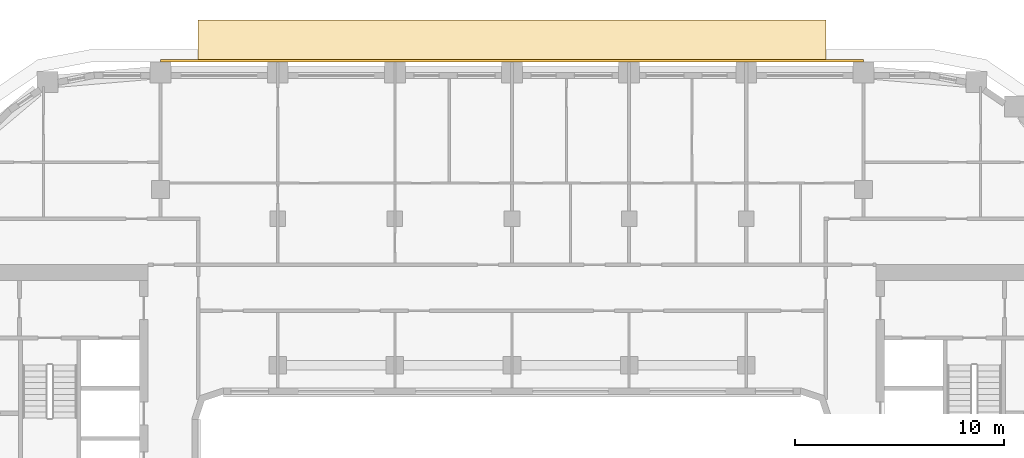
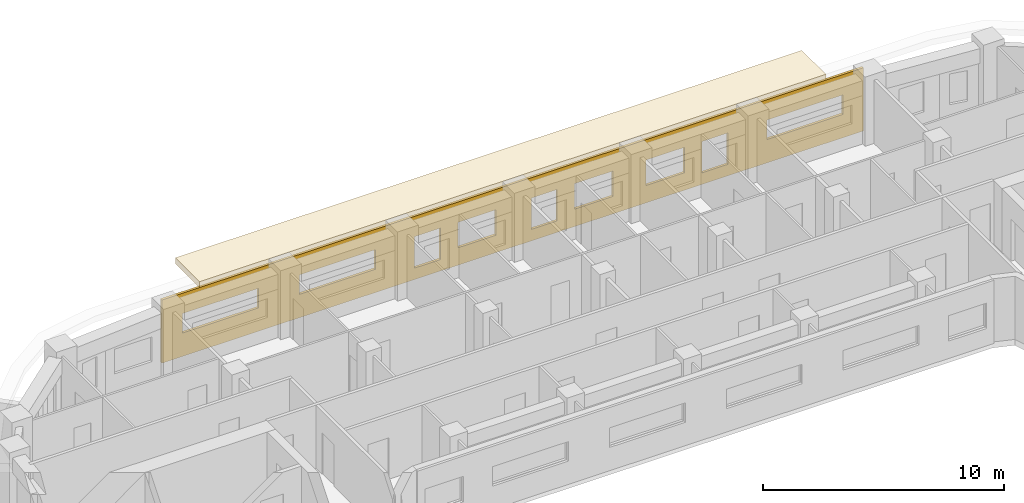
# One storey, part 21 of 22: 2 coverings.
"""IFC4 building model written with IfcOpenShell, lengths in metres."""

import ifcopenshell
import ifcopenshell.guid

model = None  # the IFC model being written
_history = None  # IfcOwnerHistory: only IFC2X3 demands one
_inside = {}  # id of a spatial element -> (the spatial element, [elements in it])
_under = {}  # id of a project, library or spatial element -> (it, [spatial elements below it])
_declared = {}  # id of a project -> (the project, [libraries it declares])
_typed = {}  # id of a type object -> (the type object, [elements of that type])
_made_of = {}  # id of a material, layer set ... -> (it, [elements and type objects made of it])


def new_model(schema):
    """Start an empty IFC model of exactly this schema.

    Asked for "IFC4X3", IfcOpenShell would pick the latest addendum, in which some entities
    have other attributes; the version numbers below select the first issue.
    IFC2X3 requires an IfcOwnerHistory on every rooted entity: one is made here for all.
    """
    global model, _history
    if schema == "IFC4X3":
        model = ifcopenshell.file(schema_version=(4, 3, 0, 0))
    else:
        model = ifcopenshell.file(schema=schema)
    _inside.clear()
    _under.clear()
    _declared.clear()
    _typed.clear()
    _made_of.clear()
    _history = None
    if model.schema == "IFC2X3":
        org = make("IfcOrganization", Name="unknown")
        user = make(
            "IfcPersonAndOrganization",
            ThePerson=make("IfcPerson", FamilyName="unknown"),
            TheOrganization=org,
        )
        app = make(
            "IfcApplication",
            ApplicationDeveloper=org,
            Version="unknown",
            ApplicationFullName="unknown",
            ApplicationIdentifier="unknown",
        )
        _history = make(
            "IfcOwnerHistory",
            OwningUser=user,
            OwningApplication=app,
            ChangeAction="ADDED",
            CreationDate=0,
        )
    return model


def make(cls, **values):
    """One entity of the class cls with the attributes given. An attribute that is None is left unset."""
    return model.create_entity(
        cls, **{name: value for name, value in values.items() if value is not None}
    )


def rooted(cls, **values):
    """An entity with a GlobalId (a new one), such as an element, a storey or a relation."""
    return make(cls, GlobalId=ifcopenshell.guid.new(), OwnerHistory=_history, **values)


def si_unit(unit_type, name, prefix=None):
    """IfcSIUnit, for example si_unit("LENGTHUNIT", "METRE", prefix="MILLI")."""
    return make("IfcSIUnit", UnitType=unit_type, Prefix=prefix, Name=name)


def assignment(units):
    """IfcUnitAssignment: the units of a project."""
    return None if units is None else make("IfcUnitAssignment", Units=units)


def point(xyz):
    """IfcCartesianPoint."""
    return None if xyz is None else make("IfcCartesianPoint", Coordinates=xyz)


def direction(xyz):
    """IfcDirection."""
    return None if xyz is None else make("IfcDirection", DirectionRatios=xyz)


def frame(location, z_axis=None, x_axis=None):
    """IfcAxis2Placement3D, a coordinate frame: its origin and axes. An axis left out is left unset."""
    return make(
        "IfcAxis2Placement3D",
        Location=point(location),
        Axis=direction(z_axis),
        RefDirection=direction(x_axis),
    )


def origin():
    """The frame at (0, 0, 0) with its axes left unset."""
    return frame((0.0, 0.0, 0.0))


def place(relative_to, where):
    """IfcLocalPlacement: puts the frame where relative to a parent placement (None: the world)."""
    return make(
        "IfcLocalPlacement", PlacementRelTo=relative_to, RelativePlacement=where
    )


def context(
    kind, dimensions, precision=None, world=None, true_north=None, identifier=None
):
    """IfcGeometricRepresentationContext, for example the 3D "Model" context."""
    return make(
        "IfcGeometricRepresentationContext",
        ContextIdentifier=identifier,
        ContextType=kind,
        CoordinateSpaceDimension=dimensions,
        Precision=precision,
        WorldCoordinateSystem=world,
        TrueNorth=true_north,
    )


def subcontext(parent, identifier, kind, view, scale=None):
    """IfcGeometricRepresentationSubContext, for example "Body" below "Model"."""
    return make(
        "IfcGeometricRepresentationSubContext",
        ContextIdentifier=identifier,
        ContextType=kind,
        ParentContext=parent,
        TargetScale=scale,
        TargetView=view,
    )


def project(units=None, contexts=None):
    """IfcProject with its units and contexts."""
    return rooted(
        "IfcProject",
        Name="project",
        RepresentationContexts=contexts,
        UnitsInContext=assignment(units),
    )


def spatial(cls, under=None, at=None, **own):
    """A site, building, storey or space (cls), placed at a placement, below another one or the project."""
    s = rooted(cls, ObjectPlacement=at, **own)
    if under is not None:
        _under.setdefault(under.id(), (under, []))[1].append(s)
    return s


def polyline(points):
    """IfcPolyline through the points."""
    return make("IfcPolyline", Points=[point(p) for p in points])


def outline(outer, holes=None, kind="AREA"):
    """IfcArbitraryClosedProfileDef: a profile drawn as a closed curve; with holes, ...WithVoids."""
    if holes is None:
        return make("IfcArbitraryClosedProfileDef", ProfileType=kind, OuterCurve=outer)
    return make(
        "IfcArbitraryProfileDefWithVoids",
        ProfileType=kind,
        OuterCurve=outer,
        InnerCurves=holes,
    )


def extrude(swept, where, along, depth):
    """IfcExtrudedAreaSolid: the profile swept, set in the frame where, extruded along a direction by depth."""
    return make(
        "IfcExtrudedAreaSolid",
        SweptArea=swept,
        Position=where,
        ExtrudedDirection=direction(along),
        Depth=depth,
    )


def shape(context_of_items, identifier, shape_type, items):
    """IfcShapeRepresentation: the items that make up one representation, for example the "Body"."""
    return make(
        "IfcShapeRepresentation",
        ContextOfItems=context_of_items,
        RepresentationIdentifier=identifier,
        RepresentationType=shape_type,
        Items=items,
    )


def material(Name=None, Category=None):
    """IfcMaterial."""
    return make("IfcMaterial", Name=Name, Category=Category)


def layer(
    of_material, thickness, ventilated=None, Name=None, Category=None, Priority=None
):
    """IfcMaterialLayer: one layer of a wall or slab, of a material (None: an air gap)."""
    return make(
        "IfcMaterialLayer",
        Material=of_material,
        LayerThickness=thickness,
        IsVentilated=ventilated,
        Name=Name,
        Category=Category,
        Priority=Priority,
    )


def layer_set(layers, Name=None):
    """IfcMaterialLayerSet."""
    return make("IfcMaterialLayerSet", MaterialLayers=layers, LayerSetName=Name)


def made_of(thing, what):
    """Note that an element or type object is made of a material, layer set ...; save() writes the relation."""
    if what is not None:
        _made_of.setdefault(what.id(), (what, []))[1].append(thing)
    return thing


def type_object(cls, material=None, **own):
    """A type object (cls), such as IfcWallType, which elements share."""
    return made_of(rooted(cls, **own), material)


def element(
    cls,
    number,
    at=None,
    inside=None,
    cuts=None,
    type_object=None,
    material=None,
    context=None,
    identifier="Body",
    shape_type=None,
    held_by="IfcProductDefinitionShape",
    body=None,
    shapes=None,
    **own,
):
    """One element of the class cls, such as IfcWall. Its Tag is "e" and its number.

    at: its placement. inside: the storey or other place that contains it. cuts: it is an
    opening in that element (IfcRelVoidsElement). A single representation is given by context,
    identifier, shape_type and body (its items); several are given by shapes. held_by: the class
    of the entity that holds the representations. save() writes the other relations.
    """
    e = rooted(cls, Tag="e%d" % number, ObjectPlacement=at, **own)
    if body is not None:
        shapes = [shape(context, identifier, shape_type, body)]
    if shapes is not None:
        e.Representation = make(held_by, Representations=shapes)
    if inside is not None:
        _inside.setdefault(inside.id(), (inside, []))[1].append(e)
    if cuts is not None:
        rooted(
            "IfcRelVoidsElement", RelatingBuildingElement=cuts, RelatedOpeningElement=e
        )
    if type_object is not None:
        _typed.setdefault(type_object.id(), (type_object, []))[1].append(e)
    return made_of(e, material)


def aggregate(whole, parts):
    """IfcRelAggregates: a whole, such as a stair, and the parts it consists of."""
    return rooted("IfcRelAggregates", RelatingObject=whole, RelatedObjects=parts)


def save(model, path):
    """Write the relations noted so far, then the file.

    IfcRelAggregates (storeys below a building ...), IfcRelContainedInSpatialStructure (elements
    in a storey), IfcRelDefinesByType, IfcRelAssociatesMaterial and IfcRelDeclares: one each for
    every whole, place, type object, material and project.
    """
    for whole, parts in _under.values():
        aggregate(whole, parts)
    for where, things in _inside.values():
        rooted(
            "IfcRelContainedInSpatialStructure",
            RelatedElements=things,
            RelatingStructure=where,
        )
    for kind, things in _typed.values():
        rooted("IfcRelDefinesByType", RelatedObjects=things, RelatingType=kind)
    for what, things in _made_of.values():
        rooted("IfcRelAssociatesMaterial", RelatedObjects=things, RelatingMaterial=what)
    for by, libraries in _declared.values():
        rooted("IfcRelDeclares", RelatingContext=by, RelatedDefinitions=libraries)
    model.write(path)


model = new_model("IFC4")

# Units and contexts
model_context = context("Model", 3, precision=1e-05, world=origin(), true_north=direction((0.0, 1.0)))
body_context = subcontext(model_context, "Body", "Model", "MODEL_VIEW")
ifc_project = project(units=[si_unit("LENGTHUNIT", "METRE"), si_unit("AREAUNIT", "SQUARE_METRE"), si_unit("VOLUMEUNIT", "CUBIC_METRE"), si_unit("PLANEANGLEUNIT", "RADIAN"), si_unit("MASSUNIT", "GRAM", prefix="KILO")], contexts=[model_context])

# Site, building, storey
site_placement = place(None, origin())
site = spatial("IfcSite", under=ifc_project, at=site_placement, CompositionType="ELEMENT")
building_placement = place(site_placement, origin())
building = spatial("IfcBuilding", under=site, at=building_placement, Name="Kiln Ring Residences", CompositionType="ELEMENT")
storey_placement = place(building_placement, frame((0.0, 0.0, 164.10009765625)))
storey = spatial("IfcBuildingStorey", under=building, at=storey_placement, Name="L42", CompositionType="ELEMENT", Elevation=164.10009765625)

# Coverings
ifc_material_1 = material(Name="Brick masonry, dark clay brick", Category="masonry")
ifc_layer_1 = layer(ifc_material_1, 0.1201171875)
ifc_layer_set_1 = layer_set([ifc_layer_1], Name="RAINSCREEN PANEL 120")
covering_type_1 = type_object("IfcCoveringType", Name="RAINSCREEN PANEL 120", PredefinedType="CLADDING", material=ifc_layer_set_1)
covering_1_placement = place(storey_placement, frame((16.800048828125, 22.9599609375, 0.0), z_axis=(0.0, 0.0, 1.0), x_axis=(-1.0, 0.0, 0.0)))
element("IfcCovering", 1, at=covering_1_placement, inside=storey, type_object=covering_type_1, Name="RAINSCREEN L42", PredefinedType="CLADDING", context=body_context, shape_type="SweptSolid", body=[
    extrude(outline(polyline([(0.0, 0.0), (33.60009765625, 0.0), (33.60009765625, 3.199951171875), (0.0, 3.199951171875), (0.0, 0.0)]), holes=[polyline([(6.492431640625, 0.579833984375), (7.732421875, 0.579833984375), (7.732421875, 2.169921875), (6.492431640625, 2.169921875), (6.492431640625, 0.579833984375)]), polyline([(14.66748046875, 0.579833984375), (15.907470703125, 0.579833984375), (15.907470703125, 2.169921875), (14.66748046875, 2.169921875), (14.66748046875, 0.579833984375)]), polyline([(20.267578125, 0.579833984375), (21.507568359375, 0.579833984375), (21.507568359375, 2.169921875), (20.267578125, 2.169921875), (20.267578125, 0.579833984375)]), polyline([(8.5673828125, 0.8798828125), (10.407470703125, 0.8798828125), (10.407470703125, 2.169921875), (8.5673828125, 2.169921875), (8.5673828125, 0.8798828125)]), polyline([(11.992431640625, 0.8798828125), (13.83251953125, 0.8798828125), (13.83251953125, 2.169921875), (11.992431640625, 2.169921875), (11.992431640625, 0.8798828125)]), polyline([(17.592529296875, 0.8798828125), (19.4326171875, 0.8798828125), (19.4326171875, 2.169921875), (17.592529296875, 2.169921875), (17.592529296875, 0.8798828125)]), polyline([(0.97998046875, 1.179931640625), (4.6201171875, 1.179931640625), (4.6201171875, 2.169921875), (0.97998046875, 2.169921875), (0.97998046875, 1.179931640625)]), polyline([(23.3798828125, 2.169921875), (23.3798828125, 1.179931640625), (27.02001953125, 1.179931640625), (27.02001953125, 2.169921875), (23.3798828125, 2.169921875)]), polyline([(28.97998046875, 2.169921875), (28.97998046875, 1.179931640625), (32.6201171875, 1.179931640625), (32.6201171875, 2.169921875), (28.97998046875, 2.169921875)])]), frame((0.0, 0.06005859375, 0.0), z_axis=(0.0, -1.0, 0.0), x_axis=(1.0, 0.0, 0.0)), (0.0, 0.0, 1.0), 0.1201171875),
])
ifc_material_2 = material(Name="Black powder-coated steel", Category="steel")
ifc_layer_2 = layer(ifc_material_2, 0.300048828125)
ifc_layer_set_2 = layer_set([ifc_layer_2], Name="SUNSHADE BAND 2000")
covering_type_2 = type_object("IfcCoveringType", Name="SUNSHADE BAND 2000", PredefinedType="CLADDING", material=ifc_layer_set_2)
covering_2_placement = place(storey_placement, frame((0.0, 0.0, 3.199951171875)))
element("IfcCovering", 2, at=covering_2_placement, inside=storey, type_object=covering_type_2, Name="SUNSHADE BAND L42", PredefinedType="CLADDING", context=body_context, shape_type="SweptSolid", body=[
    extrude(outline(polyline([(15.0, 24.89990234375), (-15.0, 24.89990234375), (-15.0, 22.89990234375), (15.0, 22.89990234375), (15.0, 24.89990234375)])), origin(), (0.0, 0.0, 1.0), 0.300048828125),
])

save(model, "model.ifc")
